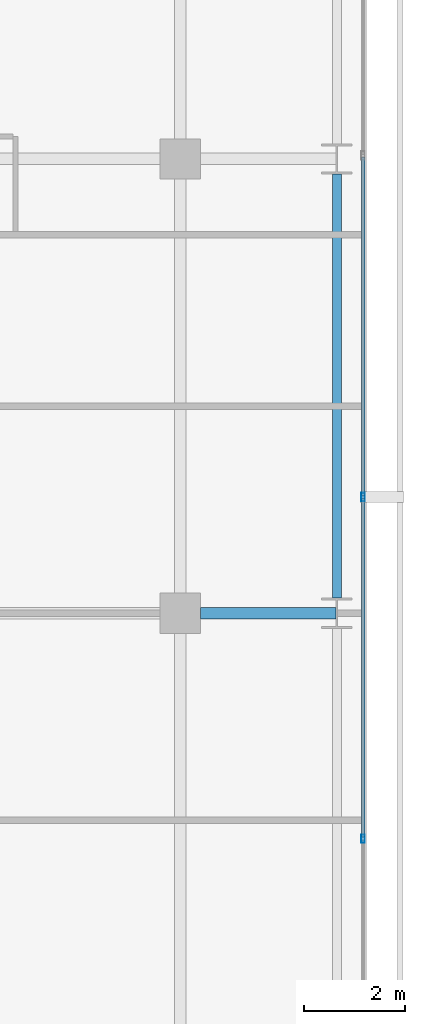
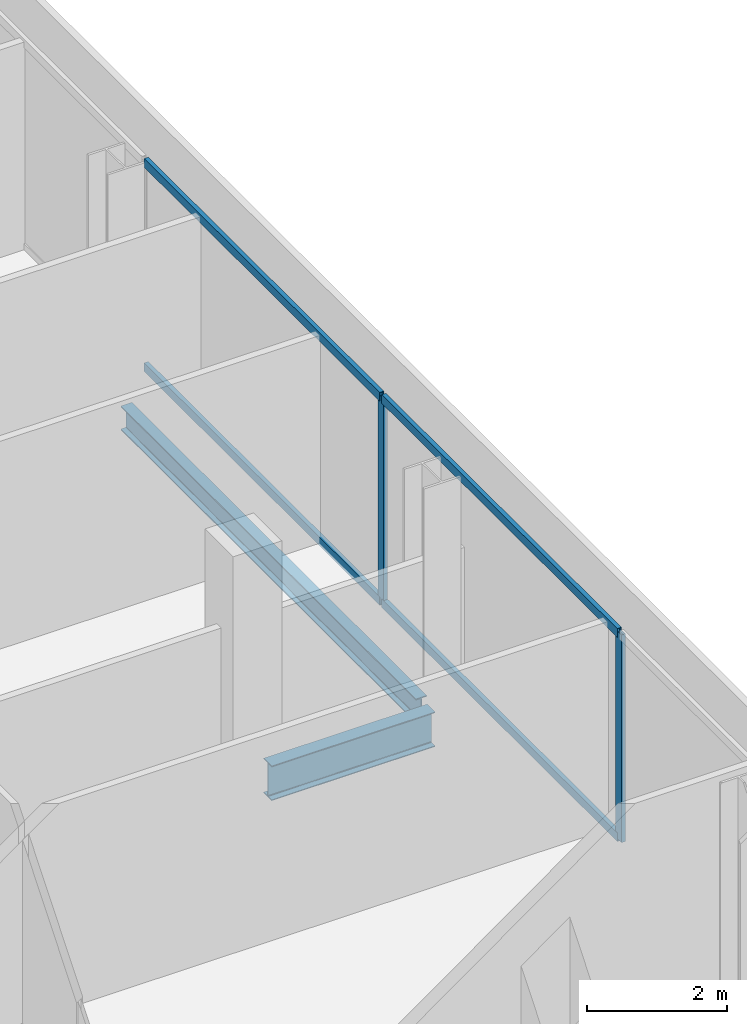
# One storey, part 17 of 34: 6 members, 2 beams, 1 element without a shape of its own.
"""IFC4 building model written with IfcOpenShell, lengths in metres."""

from ifc_helpers import new_model, si_unit, direction, frame, origin, origin_2d, place, context, subcontext, project, spatial, hollow_rectangle, i_section, extrude, material, layer, layer_set, material_profile, profile_set, type_object, element, aggregate, save


model = new_model("IFC4")

# Units and contexts
model_context = context("Model", 3, precision=1e-05, world=origin(), true_north=direction((0.0, 1.0)))
body_context = subcontext(model_context, "Body", "Model", "MODEL_VIEW")
ifc_project = project(units=[si_unit("LENGTHUNIT", "METRE"), si_unit("AREAUNIT", "SQUARE_METRE"), si_unit("VOLUMEUNIT", "CUBIC_METRE"), si_unit("PLANEANGLEUNIT", "RADIAN"), si_unit("MASSUNIT", "GRAM", prefix="KILO")], contexts=[model_context])

# Site, building, storey
site_placement = place(None, origin())
site = spatial("IfcSite", under=ifc_project, at=site_placement, CompositionType="ELEMENT")
building_placement = place(site_placement, origin())
building = spatial("IfcBuilding", under=site, at=building_placement, Name="Maruvema Waterfront Hotel and Observation Tower", CompositionType="ELEMENT")
storey_placement = place(building_placement, frame((0.0, 0.0, 181.300048828125)))
storey = spatial("IfcBuildingStorey", under=building, at=storey_placement, Name="L44", CompositionType="ELEMENT", Elevation=181.300048828125)

# Curtain wall, members
ifc_material_1 = material(Name="Anodised bronze aluminium and solar-control low-E IGU", Category="aluminium")
ifc_layer = layer(ifc_material_1, 0.159912109375, Name="Zone 2 Amber Inner Thermal Curtain Wall System CW-03")
ifc_layer_set = layer_set([ifc_layer], Name="Anodised bronze aluminium and solar-control low-E IGU")
curtain_wall_type = type_object("IfcCurtainWallType", Name="Zone 2 Amber Inner Thermal Curtain Wall System CW-03", PredefinedType="USERDEFINED", material=ifc_layer_set)
curtain_wall_placement = place(storey_placement, origin())
curtain_wall = element("IfcCurtainWall", 1, at=curtain_wall_placement, inside=storey, type_object=curtain_wall_type, Name="L44 Curtain Wall CW-L44-E", ObjectType="UNITISED CURTAIN WALL", PredefinedType="USERDEFINED")
ifc_material_2 = material(Name="Anodised architectural bronze aluminium", Category="aluminium")
ifc_material_profile_1 = material_profile(ifc_material_2, hollow_rectangle(XDim=0.070068359375, YDim=0.14990234375, WallThickness=0.00390625, at=origin_2d()), Name="ALU-T70x150")
ifc_profile_set_1 = profile_set([ifc_material_profile_1], Name="Anodised architectural bronze aluminium")
member_type_1 = type_object("IfcMemberType", Name="Curtain Wall Horizontal Transom ALU-T70x150", PredefinedType="USERDEFINED", material=ifc_profile_set_1)
member_1_placement = place(storey_placement, frame((62.419921875, 22.563232421875, 0.030029296875), z_axis=(0.0, 1.0, 0.0), x_axis=(-1.0, 0.0, 0.0)))
member_1 = element("IfcMember", 2, at=member_1_placement, type_object=member_type_1, Name="CW-03 transom 3.1", ObjectType="TRANSOM", PredefinedType="USERDEFINED", context=body_context, shape_type="SweptSolid", body=[
    extrude(hollow_rectangle(XDim=0.070068359375, YDim=0.14990234375, WallThickness=0.00390625, at=origin_2d()), origin(), (0.0, 0.0, 1.0), 6.706787109375),
])
member_2_placement = place(storey_placement, frame((62.419921875, 22.563232421875, 3.579833984375), z_axis=(0.0, 1.0, 0.0), x_axis=(-1.0, 0.0, 0.0)))
member_2 = element("IfcMember", 3, at=member_2_placement, type_object=member_type_1, Name="CW-03 transom 3.2", ObjectType="TRANSOM", PredefinedType="USERDEFINED", context=body_context, shape_type="SweptSolid", body=[
    extrude(hollow_rectangle(XDim=0.070068359375, YDim=0.14990234375, WallThickness=0.00390625, at=origin_2d()), origin(), (0.0, 0.0, 1.0), 6.706787109375),
])
member_3_placement = place(storey_placement, frame((62.419921875, 29.330078125, 0.030029296875), z_axis=(0.0, 1.0, 0.0), x_axis=(-1.0, 0.0, 0.0)))
member_3 = element("IfcMember", 4, at=member_3_placement, type_object=member_type_1, Name="CW-03 transom 4.1", ObjectType="TRANSOM", PredefinedType="USERDEFINED", context=body_context, shape_type="SweptSolid", body=[
    extrude(hollow_rectangle(XDim=0.070068359375, YDim=0.14990234375, WallThickness=0.00390625, at=origin_2d()), origin(), (0.0, 0.0, 1.0), 6.70654296875),
])
member_4_placement = place(storey_placement, frame((62.419921875, 29.330078125, 3.579833984375), z_axis=(0.0, 1.0, 0.0), x_axis=(-1.0, 0.0, 0.0)))
member_4 = element("IfcMember", 5, at=member_4_placement, type_object=member_type_1, Name="CW-03 transom 4.2", ObjectType="TRANSOM", PredefinedType="USERDEFINED", context=body_context, shape_type="SweptSolid", body=[
    extrude(hollow_rectangle(XDim=0.070068359375, YDim=0.14990234375, WallThickness=0.00390625, at=origin_2d()), origin(), (0.0, 0.0, 1.0), 6.70654296875),
])
ifc_material_3 = material(Name="Anodised architectural bronze aluminium", Category="aluminium")
ifc_material_profile_2 = material_profile(ifc_material_3, hollow_rectangle(XDim=0.06494140625, YDim=0.1650390625, WallThickness=0.00390625, at=origin_2d()), Name="ALU-M65x165")
ifc_profile_set_2 = profile_set([ifc_material_profile_2], Name="Anodised architectural bronze aluminium")
member_type_2 = type_object("IfcMemberType", Name="Curtain Wall Primary Mullion ALU-M65x165", PredefinedType="MULLION", material=ifc_profile_set_2)
member_5_placement = place(storey_placement, frame((62.419921875, 22.533447265625, 0.0), z_axis=(0.0, 0.0, 1.0), x_axis=(-1.0, 0.0, 0.0)))
member_5 = element("IfcMember", 6, at=member_5_placement, type_object=member_type_2, Name="CW-03 mullion 3", PredefinedType="MULLION", context=body_context, shape_type="SweptSolid", body=[
    extrude(hollow_rectangle(XDim=0.06494140625, YDim=0.1650390625, WallThickness=0.00390625, at=origin_2d()), origin(), (0.0, 0.0, 1.0), 3.60986328125),
])
member_6_placement = place(storey_placement, frame((62.419921875, 29.300048828125, 0.0), z_axis=(0.0, 0.0, 1.0), x_axis=(-1.0, 0.0, 0.0)))
member_6 = element("IfcMember", 7, at=member_6_placement, type_object=member_type_2, Name="CW-03 mullion 4", PredefinedType="MULLION", context=body_context, shape_type="SweptSolid", body=[
    extrude(hollow_rectangle(XDim=0.06494140625, YDim=0.1650390625, WallThickness=0.00390625, at=origin_2d()), origin(), (0.0, 0.0, 1.0), 3.60986328125),
])
aggregate(curtain_wall, [member_5, member_6, member_1, member_2, member_3, member_4])

# Beams
ifc_material_4 = material(Name="Steel ASTM A572 Grade 50", Category="steel")
ifc_material_profile_3 = material_profile(ifc_material_4, i_section(OverallWidth=0.180908203125, OverallDepth=0.4169921875, WebThickness=0.010986328125, FlangeThickness=0.018310546875, FilletRadius=0.014892578125, at=origin_2d()), Name="W410x85.0")
ifc_profile_set_3 = profile_set([ifc_material_profile_3], Name="Steel ASTM A572 Grade 50")
beam_type_1 = type_object("IfcBeamType", Name="Perimeter Spandrel Beam W410x85.0", PredefinedType="SPANDREL", material=ifc_profile_set_3)
beam_1_placement = place(storey_placement, frame((61.89990234375, 27.300048828125, -0.448486328125), z_axis=(0.0, 1.0, 0.0), x_axis=(-1.0, 0.0, 0.0)))
element("IfcBeam", 8, at=beam_1_placement, inside=storey, type_object=beam_type_1, Name="L44 Floor Girder NS-31", PredefinedType="SPANDREL", context=body_context, shape_type="SweptSolid", body=[
    extrude(i_section(OverallWidth=0.180908203125, OverallDepth=0.4169921875, WebThickness=0.010986328125, FlangeThickness=0.018310546875, FilletRadius=0.014892578125, at=origin_2d()), origin(), (0.0, 0.0, 1.0), 8.39990234375),
])
ifc_material_5 = material(Name="Steel ASTM A572 Grade 50", Category="steel")
ifc_material_profile_4 = material_profile(ifc_material_5, i_section(OverallWidth=0.22802734375, OverallDepth=0.60302734375, WebThickness=0.010498046875, FlangeThickness=0.014892578125, FilletRadius=0.01806640625, at=origin_2d()), Name="W610x101.0")
ifc_profile_set_4 = profile_set([ifc_material_profile_4], Name="Steel ASTM A572 Grade 50")
beam_type_2 = type_object("IfcBeamType", Name="Primary Floor Girder W610x101.0", PredefinedType="BEAM", material=ifc_profile_set_4)
beam_2_placement = place(storey_placement, frame((59.199951171875, 27.0, -0.54150390625), z_axis=(1.0, 0.0, 0.0), x_axis=(0.0, 1.0, 0.0)))
element("IfcBeam", 9, at=beam_2_placement, inside=storey, type_object=beam_type_2, Name="L44 Floor Girder EW-22", PredefinedType="BEAM", context=body_context, shape_type="SweptSolid", body=[
    extrude(i_section(OverallWidth=0.22802734375, OverallDepth=0.60302734375, WebThickness=0.010498046875, FlangeThickness=0.014892578125, FilletRadius=0.01806640625, at=origin_2d()), origin(), (0.0, 0.0, 1.0), 2.6875),
])

save(model, "model.ifc")
